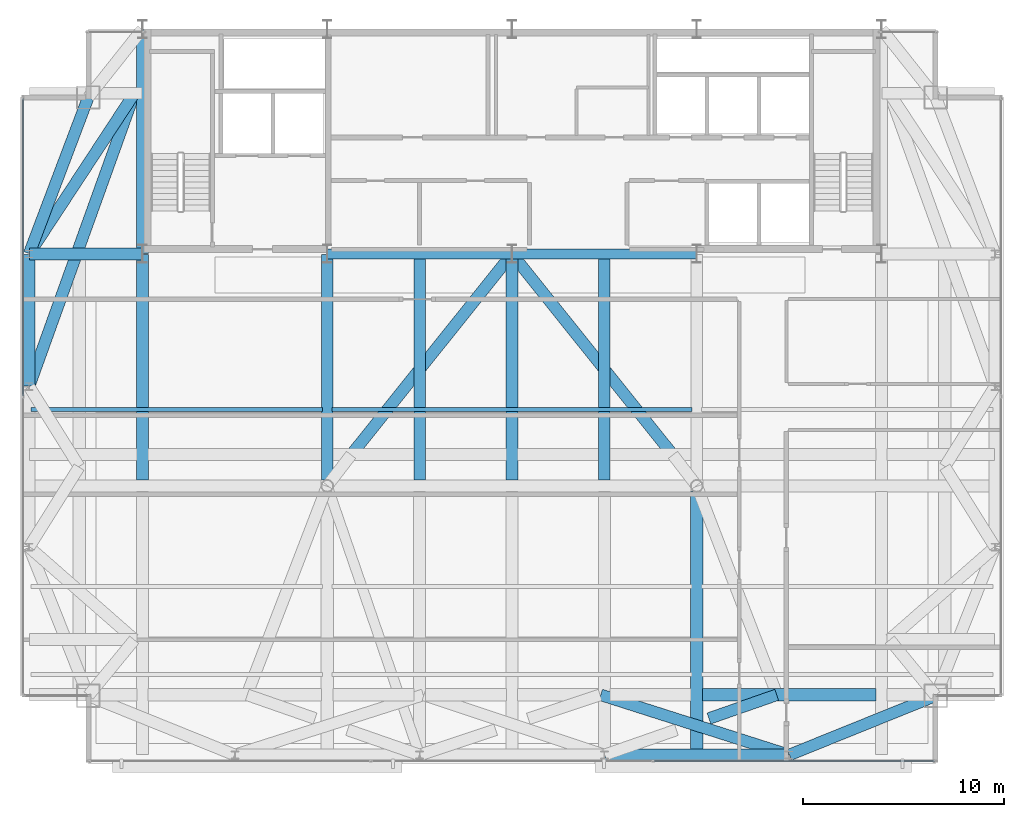
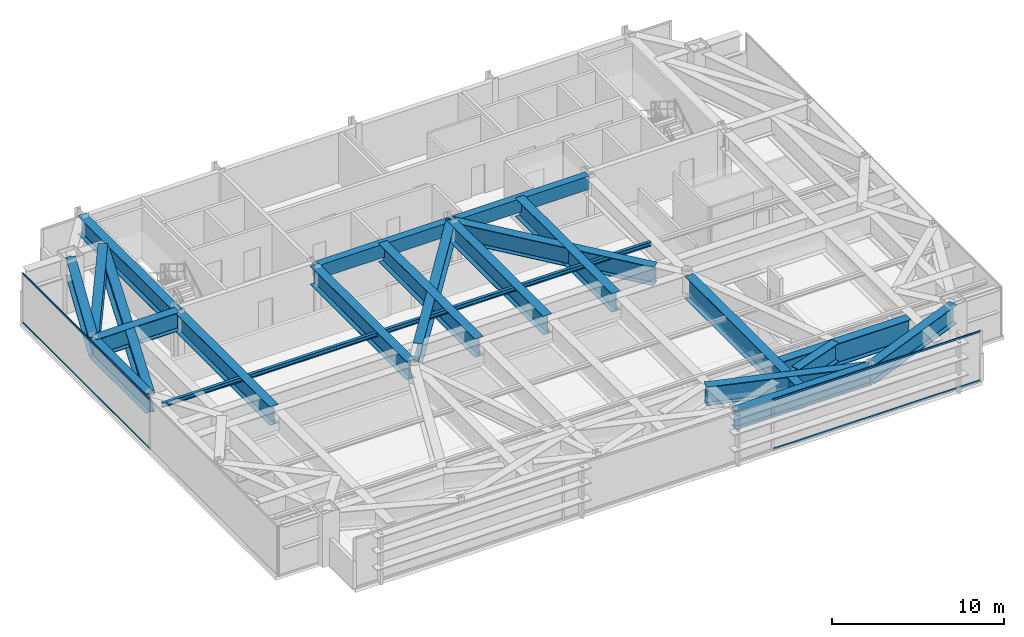
# One storey, part 11 of 23: 23 beams, 4 members, 2 elements without a shape of their own.
"""IFC4 building model written with IfcOpenShell, lengths in metres."""

from ifc_helpers import new_model, si_unit, direction, frame, origin, origin_2d, place, context, subcontext, project, spatial, rectangle, hollow_rectangle, i_section, extrude, source, transform, mapped, material, layer, layer_set, material_profile, profile_set, type_object, type_shapes, element, aggregate, save


model = new_model("IFC4")

# Units and contexts
model_context = context("Model", 3, precision=1e-05, world=origin(), true_north=direction((0.0, 1.0)))
body_context = subcontext(model_context, "Body", "Model", "MODEL_VIEW")
ifc_project = project(units=[si_unit("LENGTHUNIT", "METRE"), si_unit("AREAUNIT", "SQUARE_METRE"), si_unit("VOLUMEUNIT", "CUBIC_METRE"), si_unit("PLANEANGLEUNIT", "RADIAN"), si_unit("MASSUNIT", "GRAM", prefix="KILO")], contexts=[model_context])

# Site, building, storey
site_placement = place(None, origin())
site = spatial("IfcSite", under=ifc_project, at=site_placement, CompositionType="ELEMENT")
building_placement = place(site_placement, origin())
building = spatial("IfcBuilding", under=site, at=building_placement, Name="Varnel Quay Broadcast Tower", CompositionType="ELEMENT")
storey_placement = place(building_placement, frame((0.0, 0.0, 254.60009765625)))
storey = spatial("IfcBuildingStorey", under=building, at=storey_placement, Name="L63", CompositionType="ELEMENT", Elevation=254.60009765625)

# Beams
ifc_material_1 = material(Name="Structural Steel CSA G40.21 350WT", Category="steel")
ifc_material_profile_1 = material_profile(ifc_material_1, i_section(OverallWidth=0.580078125, OverallDepth=1.330078125, WebThickness=0.02197265625, FlangeThickness=0.0380859375, FilletRadius=0.02001953125, at=origin_2d()), Name="WWF1330X535")
ifc_profile_set_1 = profile_set([ifc_material_profile_1], Name="Structural Steel CSA G40.21 350WT")
beam_type_1 = type_object("IfcBeamType", Name="Girder_WWF1330X535", PredefinedType="BEAM", material=ifc_profile_set_1)
shared_shape_1 = source(origin(), body_context, "Body", "SweptSolid", [
    extrude(i_section(OverallWidth=0.580078125, OverallDepth=1.330078125, WebThickness=0.02197265625, FlangeThickness=0.0380859375, FilletRadius=0.02001953125, at=origin_2d()), origin(), (0.0, 0.0, 1.0), 11.159912109375),
])
beam_1_placement = place(storey_placement, frame((15.60009765625, 35.6201171875, 2.885009765625), z_axis=(0.0, 1.0, 0.0), x_axis=(-1.0, 0.0, 0.0)))
element("IfcBeam", 1, at=beam_1_placement, inside=storey, type_object=beam_type_1, Name="L63 West Core Spine", PredefinedType="BEAM", context=body_context, shape_type="MappedRepresentation", body=[
    mapped(shared_shape_1, transform((0.0, 0.0, 0.0), x_axis=(1.0, 0.0, 0.0), y_axis=(0.0, 1.0, 0.0), z_axis=(0.0, 0.0, 1.0), scale=1.0)),
])
shared_shape_2 = source(origin(), body_context, "Body", "SweptSolid", [
    extrude(i_section(OverallWidth=0.580078125, OverallDepth=1.330078125, WebThickness=0.02197265625, FlangeThickness=0.0380859375, FilletRadius=0.02001953125, at=origin_2d()), origin(), (0.0, 0.0, 1.0), 9.159912109375),
])
beam_2_placement = place(storey_placement, frame((38.6201171875, 10.64990234375, 2.885009765625), z_axis=(1.0, 0.0, 0.0), x_axis=(0.0, 1.0, 0.0)))
element("IfcBeam", 2, at=beam_2_placement, inside=storey, type_object=beam_type_1, Name="L63 Perimeter Transfer Spine TC-S3-TC-S4", PredefinedType="BEAM", context=body_context, shape_type="MappedRepresentation", body=[
    mapped(shared_shape_2, transform((0.0, 0.0, 0.0), x_axis=(1.0, 0.0, 0.0), y_axis=(0.0, 1.0, 0.0), z_axis=(0.0, 0.0, 1.0), scale=1.0)),
])
ifc_material_profile_2 = material_profile(ifc_material_1, i_section(OverallWidth=0.60009765625, OverallDepth=1.60009765625, WebThickness=0.02392578125, FlangeThickness=0.0419921875, FilletRadius=0.02197265625, at=origin_2d()), Name="WWF1600X620")
ifc_profile_set_2 = profile_set([ifc_material_profile_2], Name="Structural Steel CSA G40.21 350WT")
beam_type_2 = type_object("IfcBeamType", Name="Girder_WWF1600X620", PredefinedType="BEAM", material=ifc_profile_set_2)
shared_shape_3 = source(origin(), body_context, "Body", "SweptSolid", [
    extrude(i_section(OverallWidth=0.60009765625, OverallDepth=1.60009765625, WebThickness=0.02392578125, FlangeThickness=0.0419921875, FilletRadius=0.02197265625, at=origin_2d()), origin(), (0.0, 0.0, 1.0), 8.6298828125),
])
beam_3_placement = place(storey_placement, frame((43.485107421875, 13.64990234375, 2.75), z_axis=(1.0, 0.0, 0.0), x_axis=(0.0, 1.0, 0.0)))
element("IfcBeam", 3, at=beam_3_placement, inside=storey, type_object=beam_type_2, Name="L63 Setback South Transfer Header 7", PredefinedType="BEAM", context=body_context, shape_type="MappedRepresentation", body=[
    mapped(shared_shape_3, transform((0.0, 0.0, 0.0), x_axis=(1.0, 0.0, 0.0), y_axis=(0.0, 1.0, 0.0), z_axis=(0.0, 0.0, 1.0), scale=1.0)),
])
ifc_material_2 = material(Name="Structural Steel CSA G40.21 350W", Category="steel")
ifc_material_profile_3 = material_profile(ifc_material_2, i_section(OverallWidth=0.202880859375, OverallDepth=0.302978515625, WebThickness=0.007568359375, FlangeThickness=0.01318359375, FilletRadius=0.011962890625, at=origin_2d()), Name="W310X60")
ifc_profile_set_3 = profile_set([ifc_material_profile_3], Name="Structural Steel CSA G40.21 350W")
beam_type_3 = type_object("IfcBeamType", Name="Beam_W310X60", PredefinedType="JOIST", material=ifc_profile_set_3)
shared_shape_4 = source(origin(), body_context, "Body", "SweptSolid", [
    extrude(i_section(OverallWidth=0.202880859375, OverallDepth=0.302978515625, WebThickness=0.007568359375, FlangeThickness=0.01318359375, FilletRadius=0.011962890625, at=origin_2d()), origin(), (0.0, 0.0, 1.0), 17.91015625),
])
beam_4_placement = place(storey_placement, frame((25.044921875, 27.85009765625, 3.3984375), z_axis=(1.0, 0.0, 0.0), x_axis=(0.0, 1.0, 0.0)))
element("IfcBeam", 4, at=beam_4_placement, inside=storey, type_object=beam_type_3, Name="L63 Central Floor Joist 4", PredefinedType="JOIST", context=body_context, shape_type="MappedRepresentation", body=[
    mapped(shared_shape_4, transform((0.0, 0.0, 0.0), x_axis=(1.0, 0.0, 0.0), y_axis=(0.0, 1.0, 0.0), z_axis=(0.0, 0.0, 1.0), scale=1.0)),
])
ifc_material_3 = material(Name="Concrete CSA A23.3 C50/60", Category="concrete")
ifc_material_profile_4 = material_profile(ifc_material_3, rectangle(XDim=0.5, YDim=0.949951171875, at=origin_2d()), Name="RC500X950")
ifc_profile_set_4 = profile_set([ifc_material_profile_4], Name="Concrete CSA A23.3 C50/60")
beam_type_4 = type_object("IfcBeamType", Name="Beam_RC500X950", PredefinedType="BEAM", material=ifc_profile_set_4)
shared_shape_5 = source(origin(), body_context, "Body", "SweptSolid", [
    extrude(rectangle(XDim=0.5, YDim=0.949951171875, at=origin_2d()), origin(), (0.0, 0.0, 1.0), 9.159912109375),
])
type_shapes(beam_type_4, [shared_shape_5])
for number, where, z_axis, x_axis, name in (
    (5, (24.820068359375, 35.60009765625, 3.074951171875), (1.0, 0.0, 0.0), (0.0, 1.0, 0.0), "L63 Core Coupling Beam W"),
    (6, (34.02001953125, 35.60009765625, 3.074951171875), (1.0, 0.0, 0.0), (0.0, 1.0, 0.0), "L63 Core Coupling Beam E"),
):
    element("IfcBeam", number, at=place(storey_placement, frame(where, z_axis=z_axis, x_axis=x_axis)), inside=storey, type_object=beam_type_4, Name=name, PredefinedType="BEAM", context=body_context, shape_type="MappedRepresentation", body=[
        mapped(shared_shape_5, transform((0.0, 0.0, 0.0), x_axis=(1.0, 0.0, 0.0), y_axis=(0.0, 1.0, 0.0), z_axis=(0.0, 0.0, 1.0), scale=1.0)),
    ])
shared_shape_6 = source(origin(), body_context, "Body", "SweptSolid", [
    extrude(i_section(OverallWidth=0.580078125, OverallDepth=1.330078125, WebThickness=0.02197265625, FlangeThickness=0.0380859375, FilletRadius=0.02001953125, at=origin_2d()), origin(), (0.0, 0.0, 1.0), 7.83349609375),
])
beam_5_placement = place(storey_placement, frame((47.818603515625, 10.657470703125, 2.885009765625), z_axis=(0.927155449606, 0.374676890489, 0.0), x_axis=(-0.374676890489, 0.927155449606, 0.0)))
element("IfcBeam", 7, at=beam_5_placement, inside=storey, type_object=beam_type_1, Name="L63 Perimeter Transfer Spine TC-S4-MC-SE", PredefinedType="BEAM", context=body_context, shape_type="MappedRepresentation", body=[
    mapped(shared_shape_6, transform((0.0, 0.0, 0.0), x_axis=(1.0, 0.0, 0.0), y_axis=(0.0, 1.0, 0.0), z_axis=(0.0, 0.0, 1.0), scale=1.0)),
])
shared_shape_7 = source(origin(), body_context, "Body", "SweptSolid", [
    extrude(i_section(OverallWidth=0.580078125, OverallDepth=1.330078125, WebThickness=0.02197265625, FlangeThickness=0.0380859375, FilletRadius=0.02001953125, at=origin_2d()), origin(), (0.0, 0.0, 1.0), 6.56005859375),
])
beam_6_placement = place(storey_placement, frame((9.949951171875, 29.02001953125, 2.885009765625), z_axis=(0.0, 1.0, 0.0), x_axis=(-1.0, 0.0, 0.0)))
element("IfcBeam", 8, at=beam_6_placement, inside=storey, type_object=beam_type_1, Name="L63 West Transfer Spine TC-W2-TC-W3", PredefinedType="BEAM", context=body_context, shape_type="MappedRepresentation", body=[
    mapped(shared_shape_7, transform((0.0, 0.0, 0.0), x_axis=(1.0, 0.0, 0.0), y_axis=(0.0, 1.0, 0.0), z_axis=(0.0, 0.0, 1.0), scale=1.0)),
])
shared_shape_8 = source(origin(), body_context, "Body", "SweptSolid", [
    extrude(i_section(OverallWidth=0.580078125, OverallDepth=1.330078125, WebThickness=0.02197265625, FlangeThickness=0.0380859375, FilletRadius=0.02001953125, at=origin_2d()), origin(), (0.0, 0.0, 1.0), 8.29931640625),
])
beam_7_placement = place(storey_placement, frame((9.95703125, 35.61865234375, 2.885009765625), z_axis=(0.353739782058, 0.935343876117, 0.0), x_axis=(-0.935343876117, 0.353739782058, 0.0)))
element("IfcBeam", 9, at=beam_7_placement, inside=storey, type_object=beam_type_1, Name="L63 West Transfer Spine TC-W3-MC-NW", PredefinedType="BEAM", context=body_context, shape_type="MappedRepresentation", body=[
    mapped(shared_shape_8, transform((0.0, 0.0, 0.0), x_axis=(1.0, 0.0, 0.0), y_axis=(0.0, 1.0, 0.0), z_axis=(0.0, 0.0, 1.0), scale=1.0)),
])
shared_shape_9 = source(origin(), body_context, "Body", "SweptSolid", [
    extrude(i_section(OverallWidth=0.580078125, OverallDepth=1.330078125, WebThickness=0.02197265625, FlangeThickness=0.0380859375, FilletRadius=0.02001953125, at=origin_2d()), origin(), (0.0, 0.0, 1.0), 5.610107421875),
])
beam_8_placement = place(storey_placement, frame((9.969970703125, 35.60009765625, 2.885009765625), z_axis=(1.0, 0.0, 0.0), x_axis=(0.0, 1.0, 0.0)))
element("IfcBeam", 10, at=beam_8_placement, inside=storey, type_object=beam_type_1, Name="L63 West Core Tie Transfer", PredefinedType="BEAM", context=body_context, shape_type="MappedRepresentation", body=[
    mapped(shared_shape_9, transform((0.0, 0.0, 0.0), x_axis=(1.0, 0.0, 0.0), y_axis=(0.0, 1.0, 0.0), z_axis=(0.0, 0.0, 1.0), scale=1.0)),
])
shared_shape_10 = source(origin(), body_context, "Body", "SweptSolid", [
    extrude(i_section(OverallWidth=0.60009765625, OverallDepth=1.60009765625, WebThickness=0.02392578125, FlangeThickness=0.0419921875, FilletRadius=0.02197265625, at=origin_2d()), origin(), (0.0, 0.0, 1.0), 13.094970703125),
])
type_shapes(beam_type_2, [shared_shape_3, shared_shape_10])
beam_9_placement = place(storey_placement, frame((43.199951171875, 10.669921875, 2.75), z_axis=(0.0, 1.0, 0.0), x_axis=(-1.0, 0.0, 0.0)))
element("IfcBeam", 11, at=beam_9_placement, inside=storey, type_object=beam_type_2, Name="L63 N-S Transfer Girder 6A", PredefinedType="BEAM", context=body_context, shape_type="MappedRepresentation", body=[
    mapped(shared_shape_10, transform((0.0, 0.0, 0.0), x_axis=(1.0, 0.0, 0.0), y_axis=(0.0, 1.0, 0.0), z_axis=(0.0, 0.0, 1.0), scale=1.0)),
])
shared_shape_11 = source(origin(), body_context, "Body", "SweptSolid", [
    extrude(i_section(OverallWidth=0.580078125, OverallDepth=1.330078125, WebThickness=0.02197265625, FlangeThickness=0.0380859375, FilletRadius=0.02001953125, at=origin_2d()), origin(), (0.0, 0.0, 1.0), 11.2451171875),
])
for number, where, z_axis, x_axis, name in (
    (12, (15.60009765625, 24.3349609375, 2.885009765625), (0.0, 1.0, 0.0), (-1.0, 0.0, 0.0), "L63 N-S Transfer Girder 1B"),
    (13, (24.800048828125, 24.3349609375, 2.885009765625), (0.0, 1.0, 0.0), (-1.0, 0.0, 0.0), "L63 N-S Transfer Girder 2B"),
    (14, (29.39990234375, 24.3349609375, 2.885009765625), (0.0, 1.0, 0.0), (-1.0, 0.0, 0.0), "L63 N-S Transfer Girder 3B"),
    (15, (34.0, 24.3349609375, 2.885009765625), (0.0, 1.0, 0.0), (-1.0, 0.0, 0.0), "L63 N-S Transfer Girder 4B"),
    (16, (38.60009765625, 24.3349609375, 2.885009765625), (0.0, 1.0, 0.0), (-1.0, 0.0, 0.0), "L63 N-S Transfer Girder 5B"),
):
    element("IfcBeam", number, at=place(storey_placement, frame(where, z_axis=z_axis, x_axis=x_axis)), inside=storey, type_object=beam_type_1, Name=name, PredefinedType="BEAM", context=body_context, shape_type="MappedRepresentation", body=[
        mapped(shared_shape_11, transform((0.0, 0.0, 0.0), x_axis=(1.0, 0.0, 0.0), y_axis=(0.0, 1.0, 0.0), z_axis=(0.0, 0.0, 1.0), scale=1.0)),
    ])
shared_shape_12 = source(origin(), body_context, "Body", "SweptSolid", [
    extrude(i_section(OverallWidth=0.580078125, OverallDepth=1.330078125, WebThickness=0.02197265625, FlangeThickness=0.0380859375, FilletRadius=0.02001953125, at=origin_2d()), origin(), (0.0, 0.0, 1.0), 9.52880859375),
])
beam_10_placement = place(storey_placement, frame((9.9609375, 35.61669921875, 2.885009765625), z_axis=(0.548654762547, 0.836049012639, 0.0), x_axis=(-0.836049012639, 0.548654762547, 0.0)))
element("IfcBeam", 17, at=beam_10_placement, inside=storey, type_object=beam_type_1, Name="L63 Nodal Transfer Tie MC-NW-TC-W3", PredefinedType="BEAM", context=body_context, shape_type="MappedRepresentation", body=[
    mapped(shared_shape_12, transform((0.0, 0.0, 0.0), x_axis=(1.0, 0.0, 0.0), y_axis=(0.0, 1.0, 0.0), z_axis=(0.0, 0.0, 1.0), scale=1.0)),
])
shared_shape_13 = source(origin(), body_context, "Body", "SweptSolid", [
    extrude(i_section(OverallWidth=0.580078125, OverallDepth=1.330078125, WebThickness=0.02197265625, FlangeThickness=0.0380859375, FilletRadius=0.02001953125, at=origin_2d()), origin(), (0.0, 0.0, 1.0), 15.475341796875),
])
beam_11_placement = place(storey_placement, frame((9.956787109375, 29.018798828125, 2.885009765625), z_axis=(0.33836638095, 0.941014448477, 0.0), x_axis=(-0.941014448477, 0.33836638095, 0.0)))
element("IfcBeam", 18, at=beam_11_placement, inside=storey, type_object=beam_type_1, Name="L63 Nodal Transfer Tie MC-NW-TC-W2", PredefinedType="BEAM", context=body_context, shape_type="MappedRepresentation", body=[
    mapped(shared_shape_13, transform((0.0, 0.0, 0.0), x_axis=(1.0, 0.0, 0.0), y_axis=(0.0, 1.0, 0.0), z_axis=(0.0, 0.0, 1.0), scale=1.0)),
])
shared_shape_14 = source(origin(), body_context, "Body", "SweptSolid", [
    extrude(i_section(OverallWidth=0.580078125, OverallDepth=1.330078125, WebThickness=0.02197265625, FlangeThickness=0.0380859375, FilletRadius=0.02001953125, at=origin_2d()), origin(), (0.0, 0.0, 1.0), 12.758544921875),
])
for number, where, z_axis, x_axis, name in (
    (19, (33.987548828125, 35.58447265625, 2.885009765625), (-0.625073012779, -0.780566287188, 0.0), (0.780566287188, -0.625073012779, 0.0), "L63 Nodal Transfer Tie IC-01-CC-S3"),
    (20, (34.012451171875, 35.58447265625, 2.885009765625), (0.625073012779, -0.780566287188, 0.0), (0.780566287188, 0.625073012779, 0.0), "L63 Nodal Transfer Tie IC-02-CC-S3"),
):
    element("IfcBeam", number, at=place(storey_placement, frame(where, z_axis=z_axis, x_axis=x_axis)), inside=storey, type_object=beam_type_1, Name=name, PredefinedType="BEAM", context=body_context, shape_type="MappedRepresentation", body=[
        mapped(shared_shape_14, transform((0.0, 0.0, 0.0), x_axis=(1.0, 0.0, 0.0), y_axis=(0.0, 1.0, 0.0), z_axis=(0.0, 0.0, 1.0), scale=1.0)),
    ])
shared_shape_15 = source(origin(), body_context, "Body", "SweptSolid", [
    extrude(i_section(OverallWidth=0.580078125, OverallDepth=1.330078125, WebThickness=0.02197265625, FlangeThickness=0.0380859375, FilletRadius=0.02001953125, at=origin_2d()), origin(), (0.0, 0.0, 1.0), 3.574462890625),
])
beam_12_placement = place(storey_placement, frame((43.80615234375, 12.466064453125, 2.885009765625), z_axis=(0.944207097064, 0.329352330877, 0.0), x_axis=(-0.329352330877, 0.944207097064, 0.0)))
element("IfcBeam", 21, at=beam_12_placement, inside=storey, type_object=beam_type_1, Name="L63 X-Braced Transfer Tie TC-S4-TC-S3 Part 2", PredefinedType="BEAM", context=body_context, shape_type="MappedRepresentation", body=[
    mapped(shared_shape_15, transform((0.0, 0.0, 0.0), x_axis=(1.0, 0.0, 0.0), y_axis=(0.0, 1.0, 0.0), z_axis=(0.0, 0.0, 1.0), scale=1.0)),
])
shared_shape_16 = source(origin(), body_context, "Body", "SweptSolid", [
    extrude(i_section(OverallWidth=0.580078125, OverallDepth=1.330078125, WebThickness=0.02197265625, FlangeThickness=0.0380859375, FilletRadius=0.02001953125, at=origin_2d()), origin(), (0.0, 0.0, 1.0), 9.8271484375),
])
type_shapes(beam_type_1, [shared_shape_1, shared_shape_2, shared_shape_6, shared_shape_7, shared_shape_8, shared_shape_9, shared_shape_11, shared_shape_12, shared_shape_13, shared_shape_14, shared_shape_15, shared_shape_16])
beam_13_placement = place(storey_placement, frame((47.781005859375, 10.656005859375, 2.885009765625), z_axis=(-0.952659823635, 0.304038254881, 0.0), x_axis=(-0.304038254881, -0.952659823635, 0.0)))
element("IfcBeam", 22, at=beam_13_placement, inside=storey, type_object=beam_type_1, Name="L63 X-Braced Transfer Tie TC-S3-TC-S4", PredefinedType="BEAM", context=body_context, shape_type="MappedRepresentation", body=[
    mapped(shared_shape_16, transform((0.0, 0.0, 0.0), x_axis=(1.0, 0.0, 0.0), y_axis=(0.0, 1.0, 0.0), z_axis=(0.0, 0.0, 1.0), scale=1.0)),
])
shared_shape_17 = source(origin(), body_context, "Body", "SweptSolid", [
    extrude(i_section(OverallWidth=0.202880859375, OverallDepth=0.302978515625, WebThickness=0.007568359375, FlangeThickness=0.01318359375, FilletRadius=0.011962890625, at=origin_2d()), origin(), (0.0, 0.0, 1.0), 14.50732421875),
])
type_shapes(beam_type_3, [shared_shape_4, shared_shape_17])
beam_14_placement = place(storey_placement, frame((10.047607421875, 27.85009765625, 3.3984375), z_axis=(1.0, 0.0, 0.0), x_axis=(0.0, 1.0, 0.0)))
element("IfcBeam", 23, at=beam_14_placement, inside=storey, type_object=beam_type_3, Name="L63 West Floor Joist 4", PredefinedType="JOIST", context=body_context, shape_type="MappedRepresentation", body=[
    mapped(shared_shape_17, transform((0.0, 0.0, 0.0), x_axis=(1.0, 0.0, 0.0), y_axis=(0.0, 1.0, 0.0), z_axis=(0.0, 0.0, 1.0), scale=1.0)),
])

# Curtain wall, members
ifc_material_4 = material(Name="Anodised Bronze Aluminium 6063-T6", Category="aluminium")
ifc_layer = layer(ifc_material_4, 0.18994140625, Name="Anodised Bronze Aluminium 6063-T6")
ifc_layer_set = layer_set([ifc_layer], Name="Anodised Bronze Aluminium 6063-T6")
curtain_wall_type = type_object("IfcCurtainWallType", Name="CW_UpperTower", PredefinedType="NOTDEFINED", material=ifc_layer_set)
curtain_wall_1_placement = place(storey_placement, origin())
curtain_wall_1 = element("IfcCurtainWall", 24, at=curtain_wall_1_placement, inside=storey, type_object=curtain_wall_type, Name="L63 West Unitised Curtain Wall", PredefinedType="NOTDEFINED")
ifc_material_profile_5 = material_profile(ifc_material_4, hollow_rectangle(XDim=0.06005859375, YDim=0.125, WallThickness=0.0029296875, at=origin_2d()), Name="ALU60X125X3")
ifc_profile_set_5 = profile_set([ifc_material_profile_5], Name="Anodised Bronze Aluminium 6063-T6")
member_type = type_object("IfcMemberType", Name="Tran_CWS-03", PredefinedType="USERDEFINED", material=ifc_profile_set_5)
shared_shape_18 = source(origin(), body_context, "Body", "SweptSolid", [
    extrude(hollow_rectangle(XDim=0.06005859375, YDim=0.125, WallThickness=0.0029296875, at=origin_2d()), origin(), (0.0, 0.0, 1.0), 14.802490234375),
])
member_1_placement = place(storey_placement, frame((9.64990234375, 28.532470703125, 0.02978515625), z_axis=(0.0, 1.0, 0.0), x_axis=(-1.0, 0.0, 0.0)))
member_1 = element("IfcMember", 25, at=member_1_placement, type_object=member_type, Name="CWS-03 transom 2.1", ObjectType="TRANSOM", PredefinedType="USERDEFINED", context=body_context, shape_type="MappedRepresentation", body=[
    mapped(shared_shape_18, transform((0.0, 0.0, 0.0), x_axis=(1.0, 0.0, 0.0), y_axis=(0.0, 1.0, 0.0), z_axis=(0.0, 0.0, 1.0), scale=1.0)),
])
member_2_placement = place(storey_placement, frame((9.64990234375, 28.532470703125, 3.52001953125), z_axis=(0.0, 1.0, 0.0), x_axis=(-1.0, 0.0, 0.0)))
member_2 = element("IfcMember", 26, at=member_2_placement, type_object=member_type, Name="CWS-03 transom 2.2", ObjectType="TRANSOM", PredefinedType="USERDEFINED", context=body_context, shape_type="MappedRepresentation", body=[
    mapped(shared_shape_18, transform((0.0, 0.0, 0.0), x_axis=(1.0, 0.0, 0.0), y_axis=(0.0, 1.0, 0.0), z_axis=(0.0, 0.0, 1.0), scale=1.0)),
])
aggregate(curtain_wall_1, [member_1, member_2])

curtain_wall_2_placement = place(storey_placement, origin())
curtain_wall_2 = element("IfcCurtainWall", 27, at=curtain_wall_2_placement, inside=storey, type_object=curtain_wall_type, Name="L63 South Unitised Curtain Wall 1", PredefinedType="NOTDEFINED")
shared_shape_19 = source(origin(), body_context, "Body", "SweptSolid", [
    extrude(hollow_rectangle(XDim=0.06005859375, YDim=0.125, WallThickness=0.0029296875, at=origin_2d()), origin(), (0.0, 0.0, 1.0), 13.968994140625),
])
type_shapes(member_type, [shared_shape_18, shared_shape_19])
member_3_placement = place(storey_placement, frame((41.06591796875, 10.35009765625, 0.02978515625), z_axis=(1.0, 0.0, 0.0), x_axis=(0.0, 1.0, 0.0)))
member_3 = element("IfcMember", 28, at=member_3_placement, type_object=member_type, Name="CWS-03 transom 3.1", ObjectType="TRANSOM", PredefinedType="USERDEFINED", context=body_context, shape_type="MappedRepresentation", body=[
    mapped(shared_shape_19, transform((0.0, 0.0, 0.0), x_axis=(1.0, 0.0, 0.0), y_axis=(0.0, 1.0, 0.0), z_axis=(0.0, 0.0, 1.0), scale=1.0)),
])
member_4_placement = place(storey_placement, frame((41.06591796875, 10.35009765625, 3.52001953125), z_axis=(1.0, 0.0, 0.0), x_axis=(0.0, 1.0, 0.0)))
member_4 = element("IfcMember", 29, at=member_4_placement, type_object=member_type, Name="CWS-03 transom 3.2", ObjectType="TRANSOM", PredefinedType="USERDEFINED", context=body_context, shape_type="MappedRepresentation", body=[
    mapped(shared_shape_19, transform((0.0, 0.0, 0.0), x_axis=(1.0, 0.0, 0.0), y_axis=(0.0, 1.0, 0.0), z_axis=(0.0, 0.0, 1.0), scale=1.0)),
])
aggregate(curtain_wall_2, [member_3, member_4])

save(model, "model.ifc")
